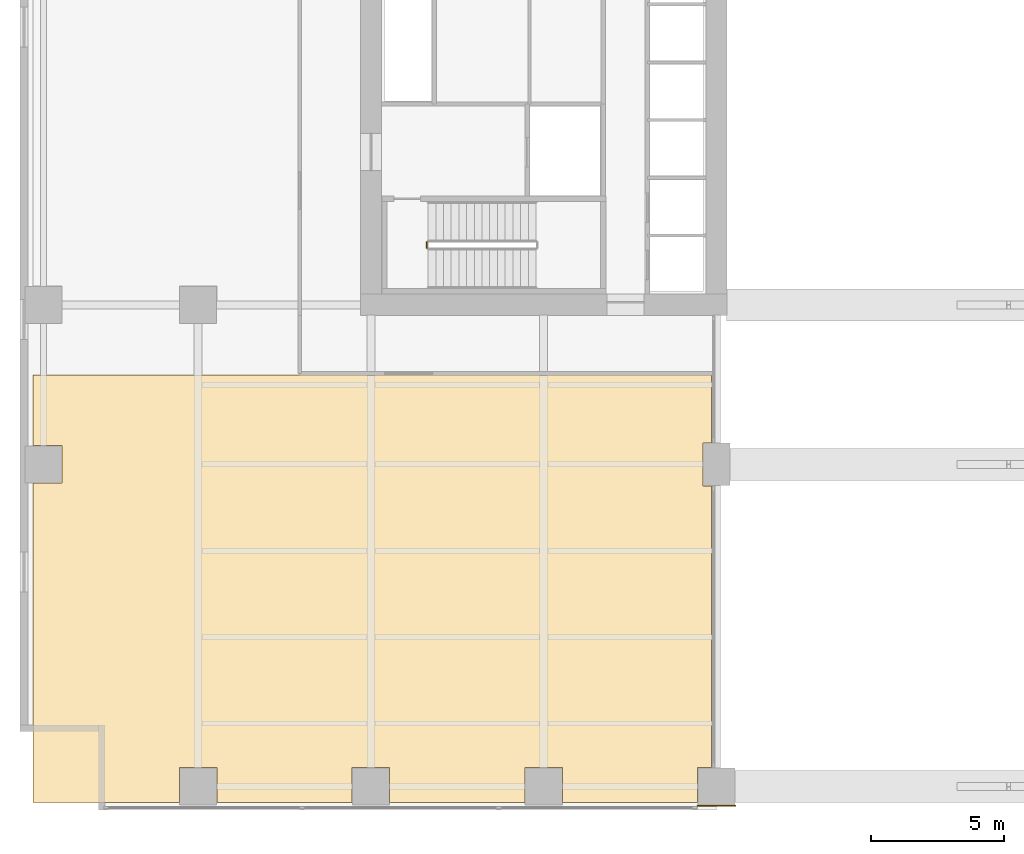
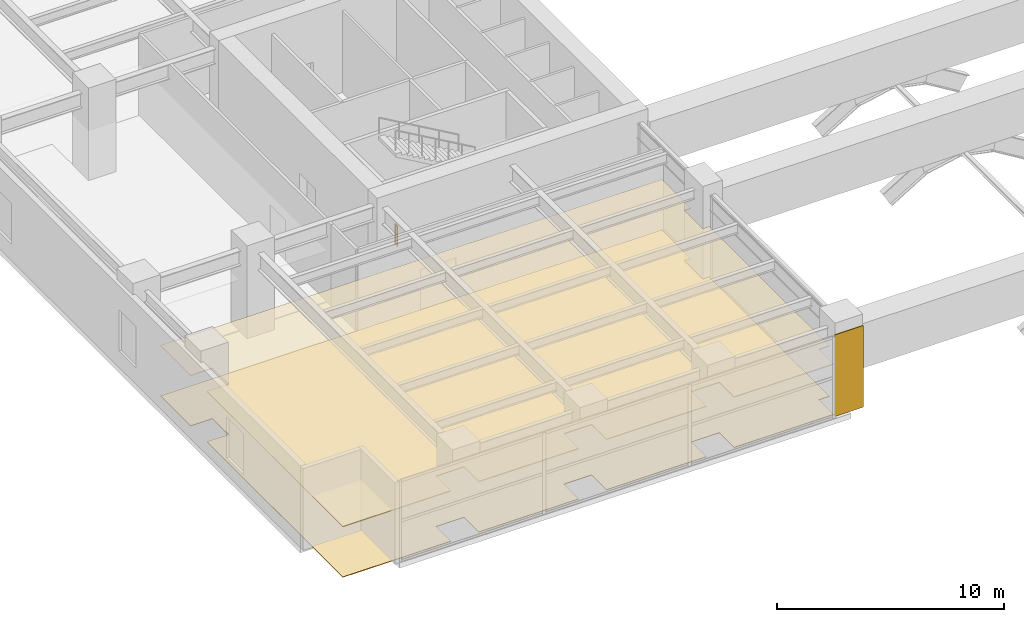
# One storey, part 19 of 23: 3 coverings, 1 railing.
"""IFC4 building model written with IfcOpenShell, lengths in metres."""

from ifc_helpers import new_model, si_unit, direction, frame, origin, origin_2d, place, context, subcontext, project, spatial, polyline, rectangle, circle, outline, extrude, material, layer, layer_set, type_object, element, save


model = new_model("IFC4")

# Units and contexts
model_context = context("Model", 3, precision=1e-05, world=origin(), true_north=direction((0.0, 1.0)))
body_context = subcontext(model_context, "Body", "Model", "MODEL_VIEW")
ifc_project = project(units=[si_unit("LENGTHUNIT", "METRE"), si_unit("AREAUNIT", "SQUARE_METRE"), si_unit("VOLUMEUNIT", "CUBIC_METRE"), si_unit("PLANEANGLEUNIT", "RADIAN"), si_unit("MASSUNIT", "GRAM", prefix="KILO")], contexts=[model_context])

# Site, building, storey
site_placement = place(None, origin())
site = spatial("IfcSite", under=ifc_project, at=site_placement, CompositionType="ELEMENT")
building_placement = place(site_placement, origin())
building = spatial("IfcBuilding", under=site, at=building_placement, Name="Putna Gate Headquarters", CompositionType="ELEMENT")
storey_placement = place(building_placement, frame((0.0, 0.0, 17.0)))
storey = spatial("IfcBuildingStorey", under=building, at=storey_placement, Name="L03", CompositionType="ELEMENT", Elevation=17.0)

# Coverings
ifc_material_1 = material(Name="Perforated mineral-fibre acoustic ceiling tile")
ifc_layer_1 = layer(ifc_material_1, 0.0400390625)
ifc_layer_set_1 = layer_set([ifc_layer_1], Name="Perforated mineral-fibre acoustic ceiling tile")
covering_type_1 = type_object("IfcCoveringType", Name="COV-ACOUSTIC-CEILING", PredefinedType="CEILING", material=ifc_layer_set_1)
covering_1_placement = place(storey_placement, frame((0.0, 0.0, 2.7099609375)))
element("IfcCovering", 1, at=covering_1_placement, inside=storey, type_object=covering_type_1, Name="L03 Acoustic Ceiling Covering 1", PredefinedType="CEILING", context=body_context, shape_type="SweptSolid", body=[
    extrude(outline(polyline([(0.280029296875, 13.7080078125), (1.387939453125, 13.7080078125), (1.387939453125, 12.2919921875), (0.280029296875, 12.2919921875), (0.280029296875, 0.280029296875), (5.7919921875, 0.280029296875), (5.7919921875, 1.587890625), (7.2080078125, 1.587890625), (7.2080078125, 0.280029296875), (12.2919921875, 0.280029296875), (12.2919921875, 1.587890625), (13.7080078125, 1.587890625), (13.7080078125, 0.280029296875), (18.7919921875, 0.280029296875), (18.7919921875, 1.587890625), (20.2080078125, 1.587890625), (20.2080078125, 0.280029296875), (25.2919921875, 0.280029296875), (25.2919921875, 1.587890625), (25.820068359375, 1.587890625), (25.820068359375, 12.19189453125), (25.491943359375, 12.19189453125), (25.491943359375, 13.80810546875), (25.820068359375, 13.80810546875), (25.820068359375, 16.3701171875), (0.280029296875, 16.3701171875), (0.280029296875, 13.7080078125)])), origin(), (0.0, 0.0, 1.0), 0.0400390625),
])
ifc_material_2 = material(Name="Anodised architectural bronze rainscreen cladding", Category="aluminium")
ifc_layer_2 = layer(ifc_material_2, 0.0400390625)
ifc_layer_set_2 = layer_set([ifc_layer_2], Name="Anodised architectural bronze rainscreen cladding")
covering_type_2 = type_object("IfcCoveringType", Name="COV-BRONZE-CLADDING", PredefinedType="CLADDING", material=ifc_layer_set_2)
covering_2_placement = place(storey_placement, frame((26.0, 0.1650390625, 0.0), z_axis=(0.0, 0.0, 1.0), x_axis=(1.0, 0.0, 0.0)))
element("IfcCovering", 2, at=covering_2_placement, inside=storey, type_object=covering_type_2, Name="L03 Giant Arch Pier Bronze Cladding WS", PredefinedType="CLADDING", context=body_context, shape_type="SweptSolid", body=[
    extrude(rectangle(XDim=1.43994140625, YDim=0.0400390625, at=origin_2d()), origin(), (0.0, 0.0, 1.0), 4.39990234375),
])
ifc_material_3 = material(Name="Calcium-sulphate raised access floor finish")
ifc_layer_3 = layer(ifc_material_3, 0.030029296875)
ifc_layer_set_3 = layer_set([ifc_layer_3], Name="Calcium-sulphate raised access floor finish")
covering_type_3 = type_object("IfcCoveringType", Name="COV-RAISED-FLOORING", PredefinedType="FLOORING", material=ifc_layer_set_3)
covering_3_placement = place(storey_placement, origin())
element("IfcCovering", 3, at=covering_3_placement, inside=storey, type_object=covering_type_3, Name="L03 Raised Access Floor Covering 1", PredefinedType="FLOORING", context=body_context, shape_type="SweptSolid", body=[
    extrude(outline(polyline([(0.280029296875, 13.7080078125), (1.387939453125, 13.7080078125), (1.387939453125, 12.2919921875), (0.280029296875, 12.2919921875), (0.280029296875, 0.280029296875), (5.7919921875, 0.280029296875), (5.7919921875, 1.587890625), (7.2080078125, 1.587890625), (7.2080078125, 0.280029296875), (12.2919921875, 0.280029296875), (12.2919921875, 1.587890625), (13.7080078125, 1.587890625), (13.7080078125, 0.280029296875), (18.7919921875, 0.280029296875), (18.7919921875, 1.587890625), (20.2080078125, 1.587890625), (20.2080078125, 0.280029296875), (25.2919921875, 0.280029296875), (25.2919921875, 1.587890625), (25.820068359375, 1.587890625), (25.820068359375, 12.19189453125), (25.491943359375, 12.19189453125), (25.491943359375, 13.80810546875), (25.820068359375, 13.80810546875), (25.820068359375, 16.3701171875), (0.280029296875, 16.3701171875), (0.280029296875, 13.7080078125)])), origin(), (0.0, 0.0, 1.0), 0.030029296875),
])

# Railing
ifc_material_4 = material(Name="Powder-coated steel stair guardrail", Category="steel")
railing_type = type_object("IfcRailingType", Name="RAIL-STAIR-GUARD-1100", PredefinedType="GUARDRAIL", material=ifc_material_4)
railing_placement = place(storey_placement, frame((15.10009765625, 21.14990234375, 0.0)))
element("IfcRailing", 4, at=railing_placement, inside=storey, type_object=railing_type, Name="L03 ST1 stair guard 4", PredefinedType="GUARDRAIL", context=body_context, shape_type="SweptSolid", body=[
    extrude(circle(Radius=0.02392578125, at=origin_2d()), frame((0.0, 0.0, 1.076171875), z_axis=(0.0, 1.0, 0.0), x_axis=(-1.0, 0.0, 0.0)), (0.0, 0.0, 1.0), 0.2001953125),
    extrude(circle(Radius=0.02099609375, at=origin_2d()), origin(), (0.0, 0.0, 1.0), 1.052001953125),
    extrude(circle(Radius=0.02099609375, at=origin_2d()), frame((0.0, 0.2001953125, 0.0)), (0.0, 0.0, 1.0), 1.052001953125),
])

save(model, "model.ifc")
